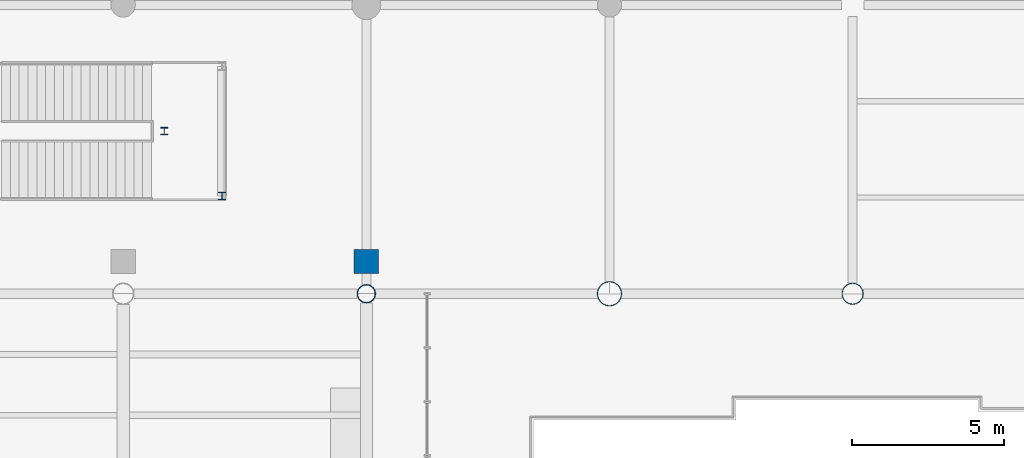
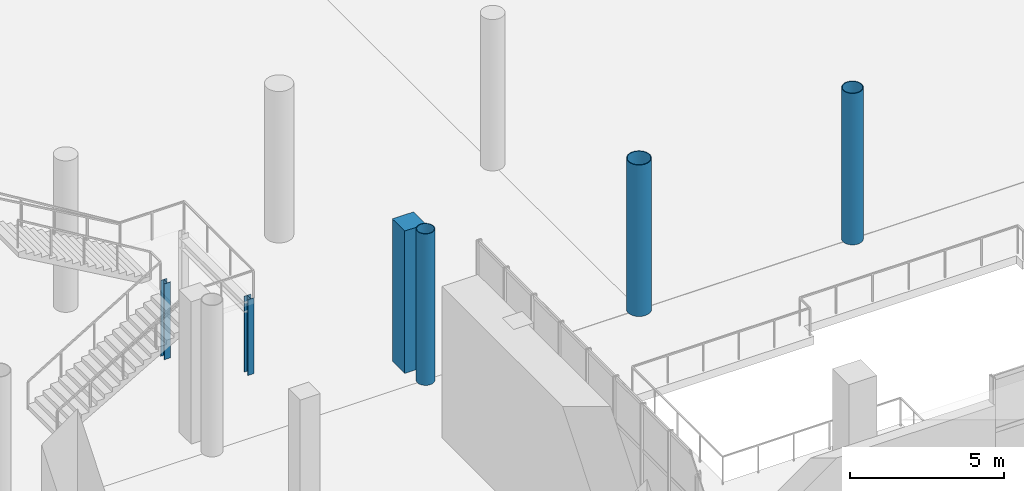
# One storey, part 14 of 163: 6 columns.
"""IFC4 building model written with IfcOpenShell, lengths in metres."""

from ifc_helpers import new_model, si_unit, direction, frame, origin, origin_2d, place, context, subcontext, project, spatial, rectangle, hollow_circle, i_section, extrude, material, material_profile, profile_set, type_object, element, save


model = new_model("IFC4")

# Units and contexts
model_context = context("Model", 3, precision=1e-05, world=origin(), true_north=direction((0.0, 1.0)))
body_context = subcontext(model_context, "Body", "Model", "MODEL_VIEW")
ifc_project = project(units=[si_unit("LENGTHUNIT", "METRE"), si_unit("AREAUNIT", "SQUARE_METRE"), si_unit("VOLUMEUNIT", "CUBIC_METRE"), si_unit("PLANEANGLEUNIT", "RADIAN"), si_unit("MASSUNIT", "GRAM", prefix="KILO")], contexts=[model_context])

# Site, building, storey
site_placement = place(None, origin())
site = spatial("IfcSite", under=ifc_project, at=site_placement, CompositionType="ELEMENT")
building_placement = place(site_placement, origin())
building = spatial("IfcBuilding", under=site, at=building_placement, Name="Khorjan Park Terminus", CompositionType="ELEMENT")
storey_placement = place(building_placement, origin())
storey = spatial("IfcBuildingStorey", under=building, at=storey_placement, Name="L00", CompositionType="ELEMENT", Elevation=0.0)

# Columns
ifc_material_1 = material(Name="Steel S355", Category="steel")
ifc_material_profile_1 = material_profile(ifc_material_1, i_section(OverallWidth=0.24, OverallDepth=0.24, WebThickness=0.01, FlangeThickness=0.017, FilletRadius=0.021, at=origin_2d()), Name="HEB 240")
ifc_profile_set_1 = profile_set([ifc_material_profile_1], Name="Steel S355")
column_type_1 = type_object("IfcColumnType", Name="COL-HB240", PredefinedType="COLUMN", material=ifc_profile_set_1)
for number, where, z_axis, x_axis, name in (
    (1, (67.25, 105.22, 0.0), (0.0, 0.0, 1.0), (1.0, 0.0, 0.0), "Structural column SC-H24 (L00 #991)"),
    (2, (65.35, 107.35, 0.0), (0.0, 0.0, 1.0), (1.0, 0.0, 0.0), "Structural column SC-H24 (L00 #995)"),
):
    element("IfcColumn", number, at=place(storey_placement, frame(where, z_axis=z_axis, x_axis=x_axis)), inside=storey, type_object=column_type_1, Name=name, PredefinedType="COLUMN", context=body_context, shape_type="SweptSolid", body=[
        extrude(i_section(OverallWidth=0.24, OverallDepth=0.24, WebThickness=0.01, FlangeThickness=0.017, FilletRadius=0.021, at=origin_2d()), origin(), (0.0, 0.0, 1.0), 3.0),
    ])
ifc_material_2 = material(Name="Concrete C40/50", Category="concrete")
ifc_material_profile_2 = material_profile(ifc_material_2, rectangle(XDim=0.8, YDim=0.8, at=origin_2d()), Name="RC 800x800")
ifc_profile_set_2 = profile_set([ifc_material_profile_2], Name="Concrete C40/50")
column_type_2 = type_object("IfcColumnType", Name="COL-RC800", PredefinedType="COLUMN", material=ifc_profile_set_2)
column_1_placement = place(storey_placement, frame((72.0, 103.06, 0.0), z_axis=(0.0, 0.0, 1.0), x_axis=(1.0, 0.0, 0.0)))
element("IfcColumn", 3, at=column_1_placement, inside=storey, type_object=column_type_2, Name="Structural column C-RC08 (L00 #517)", PredefinedType="COLUMN", context=body_context, shape_type="SweptSolid", body=[
    extrude(rectangle(XDim=0.8, YDim=0.8, at=origin_2d()), origin(), (0.0, 0.0, 1.0), 5.64),
])
ifc_material_profile_3 = material_profile(ifc_material_1, hollow_circle(Radius=0.305, WallThickness=0.02, at=origin_2d()), Name="CHS 610x20")
ifc_profile_set_3 = profile_set([ifc_material_profile_3], Name="Steel S355")
column_type_3 = type_object("IfcColumnType", Name="COL-SH610E", PredefinedType="COLUMN", material=ifc_profile_set_3)
column_2_placement = place(storey_placement, frame((72.0, 102.0, 0.0), z_axis=(0.0, 0.0, 1.0), x_axis=(1.0, 0.0, 0.0)))
element("IfcColumn", 4, at=column_2_placement, inside=storey, type_object=column_type_3, Name="Structural column SC-61 (L00 #102)", PredefinedType="COLUMN", context=body_context, shape_type="SweptSolid", body=[
    extrude(hollow_circle(Radius=0.305, WallThickness=0.02, at=origin_2d()), origin(), (0.0, 0.0, 1.0), 6.0),
])
ifc_material_profile_4 = material_profile(ifc_material_1, hollow_circle(Radius=0.3555, WallThickness=0.025, at=origin_2d()), Name="CHS 711x25")
ifc_profile_set_4 = profile_set([ifc_material_profile_4], Name="Steel S355")
column_type_4 = type_object("IfcColumnType", Name="COL-SH711E", PredefinedType="COLUMN", material=ifc_profile_set_4)
column_3_placement = place(storey_placement, frame((88.0, 102.0, 0.0), z_axis=(0.0, 0.0, 1.0), x_axis=(1.0, 0.0, 0.0)))
element("IfcColumn", 5, at=column_3_placement, inside=storey, type_object=column_type_4, Name="Structural column SC-71 (L00 #125)", PredefinedType="COLUMN", context=body_context, shape_type="SweptSolid", body=[
    extrude(hollow_circle(Radius=0.3555, WallThickness=0.025, at=origin_2d()), origin(), (0.0, 0.0, 1.0), 6.0),
])
ifc_material_profile_5 = material_profile(ifc_material_1, hollow_circle(Radius=0.4065, WallThickness=0.025, at=origin_2d()), Name="CHS 813x25")
ifc_profile_set_5 = profile_set([ifc_material_profile_5], Name="Steel S355")
column_type_5 = type_object("IfcColumnType", Name="COL-SH813E", PredefinedType="COLUMN", material=ifc_profile_set_5)
column_4_placement = place(storey_placement, frame((80.0, 102.0, 0.0), z_axis=(0.0, 0.0, 1.0), x_axis=(1.0, 0.0, 0.0)))
element("IfcColumn", 6, at=column_4_placement, inside=storey, type_object=column_type_5, Name="Structural column SC-81 (L00 #116)", PredefinedType="COLUMN", context=body_context, shape_type="SweptSolid", body=[
    extrude(hollow_circle(Radius=0.4065, WallThickness=0.025, at=origin_2d()), origin(), (0.0, 0.0, 1.0), 6.0),
])

save(model, "model.ifc")
